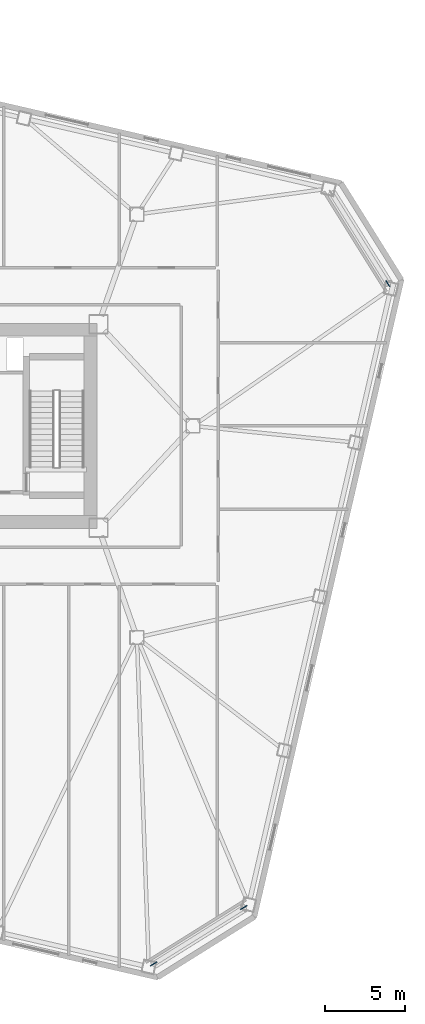
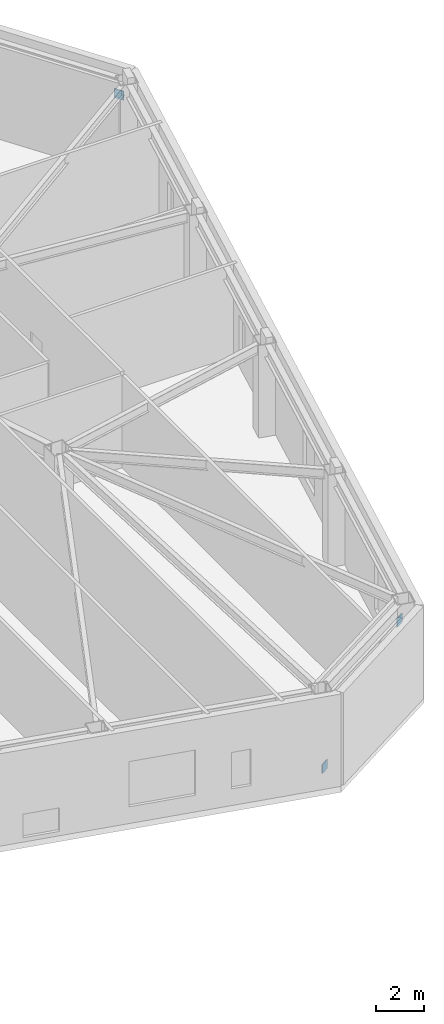
# One storey, part 17 of 20: 3 discrete accessories.
"""IFC4 building model written with IfcOpenShell, lengths in metres."""

from ifc_helpers import new_model, si_unit, direction, frame, origin, origin_2d, place, context, subcontext, project, spatial, rectangle, extrude, material, type_object, element, save


model = new_model("IFC4")

# Units and contexts
model_context = context("Model", 3, precision=1e-05, world=origin(), true_north=direction((0.0, 1.0)))
body_context = subcontext(model_context, "Body", "Model", "MODEL_VIEW")
ifc_project = project(units=[si_unit("LENGTHUNIT", "METRE"), si_unit("AREAUNIT", "SQUARE_METRE"), si_unit("VOLUMEUNIT", "CUBIC_METRE"), si_unit("PLANEANGLEUNIT", "RADIAN"), si_unit("MASSUNIT", "GRAM", prefix="KILO")], contexts=[model_context])

# Site, building, storey
site_placement = place(None, origin())
site = spatial("IfcSite", under=ifc_project, at=site_placement, CompositionType="ELEMENT")
building_placement = place(site_placement, origin())
building = spatial("IfcBuilding", under=site, at=building_placement, Name="Tavrogorsk Clinical Tower", CompositionType="ELEMENT")
storey_placement = place(building_placement, frame((0.0, 0.0, 23.39990234375)))
storey = spatial("IfcBuildingStorey", under=building, at=storey_placement, Name="L04", CompositionType="ELEMENT", Elevation=23.39990234375)

# Discrete accessories
ifc_material = material(Name="Structural steel S440", Category="steel")
discrete_accessory_type = type_object("IfcDiscreteAccessoryType", Name="GussetPlateBracket_25", PredefinedType="BRACKET", material=ifc_material)
for number, where, z_axis, x_axis, name in (
    (1, (25.548828125, -33.5634765625, 0.25341796875), (0.0, 0.0, 1.0), (0.848048096156, 0.529919264233, 0.0), "L04 Brace Gusset Plate EXOCRN-L04-1-A"),
    (2, (31.1669921875, -30.052734375, 3.586669921875), (0.0, 0.0, 1.0), (0.848048096156, 0.529919264233, 0.0), "L04 Brace Gusset Plate EXOCRN-L04-1-B"),
    (3, (40.1552734375, 8.878662109375, 3.586669921875), (0.0, 0.0, 1.0), (0.529919264233, -0.848048096156, 0.0), "L04 Brace Gusset Plate EXOCRN-L04-2-B"),
):
    element("IfcDiscreteAccessory", number, at=place(storey_placement, frame(where, z_axis=z_axis, x_axis=x_axis)), inside=storey, type_object=discrete_accessory_type, Name=name, PredefinedType="BRACKET", context=body_context, shape_type="SweptSolid", body=[
        extrude(rectangle(XDim=0.4599609375, YDim=0.0400390625, at=origin_2d()), origin(), (0.0, 0.0, 1.0), 0.4599609375),
    ])

save(model, "model.ifc")
